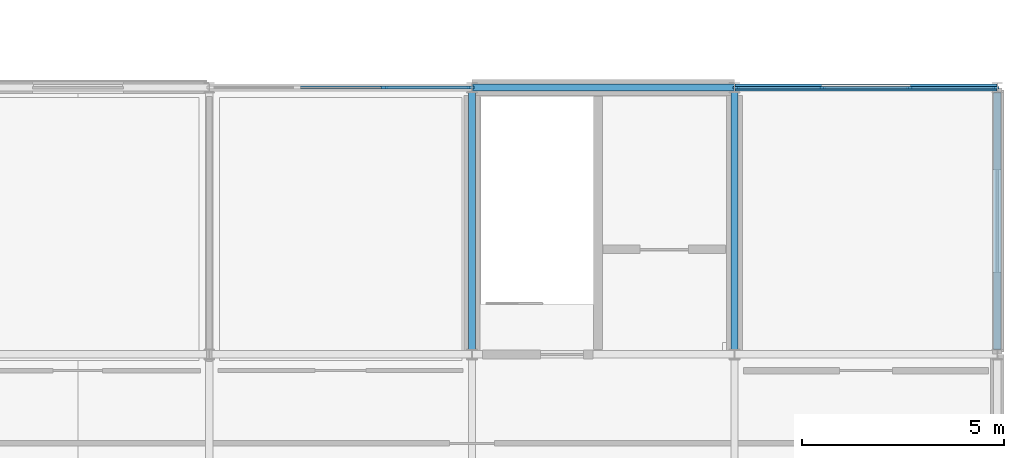
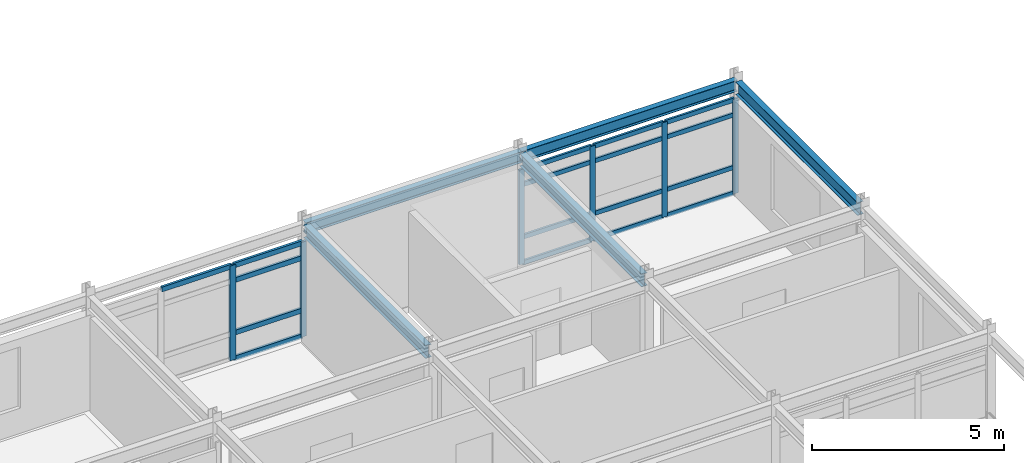
# One storey, part 10 of 20: 23 members, 5 beams, 2 elements without a shape of their own.
"""IFC4 building model written with IfcOpenShell, lengths in metres."""

from ifc_helpers import new_model, si_unit, direction, frame, origin, origin_2d, place, context, subcontext, project, spatial, rectangle, i_section, extrude, material, layer, layer_set, material_profile, profile_set, type_object, element, aggregate, save


model = new_model("IFC4")

# Units and contexts
model_context = context("Model", 3, precision=1e-05, world=origin(), true_north=direction((0.0, 1.0)))
body_context = subcontext(model_context, "Body", "Model", "MODEL_VIEW")
ifc_project = project(units=[si_unit("LENGTHUNIT", "METRE"), si_unit("AREAUNIT", "SQUARE_METRE"), si_unit("VOLUMEUNIT", "CUBIC_METRE"), si_unit("PLANEANGLEUNIT", "RADIAN"), si_unit("MASSUNIT", "GRAM", prefix="KILO")], contexts=[model_context])

# Site, building, storey
site_placement = place(None, origin())
site = spatial("IfcSite", under=ifc_project, at=site_placement, CompositionType="ELEMENT")
building_placement = place(site_placement, origin())
building = spatial("IfcBuilding", under=site, at=building_placement, Name="Trelmorton Wharf Fire Station", CompositionType="ELEMENT")
storey_placement = place(building_placement, frame((0.0, 0.0, 21.300048828125)))
storey = spatial("IfcBuildingStorey", under=building, at=storey_placement, Name="L05", CompositionType="ELEMENT", Elevation=21.300048828125)

# Beams
ifc_material_1 = material(Name="Steel Grade 350", Category="steel")
ifc_material_profile_1 = material_profile(ifc_material_1, i_section(OverallWidth=0.177978515625, OverallDepth=0.406005859375, WebThickness=0.0078125, FlangeThickness=0.0126953125, FilletRadius=0.011474609375, at=origin_2d()), Name="410UB59.7")
ifc_profile_set_1 = profile_set([ifc_material_profile_1], Name="Steel Grade 350")
beam_type_1 = type_object("IfcBeamType", Name="BM_410UB60", PredefinedType="BEAM", material=ifc_profile_set_1)
for number, where, z_axis, x_axis, name in (
    (1, (143.0, 21.123046875, 3.427001953125), (0.0, 1.0, 0.0), (-1.0, 0.0, 0.0), "BM-L05-1186"),
    (2, (149.5, 21.123046875, 3.427001953125), (0.0, 1.0, 0.0), (-1.0, 0.0, 0.0), "BM-L05-1189"),
    (3, (156.0, 21.123046875, 3.427001953125), (0.0, 1.0, 0.0), (-1.0, 0.0, 0.0), "BM-L05-1192"),
):
    element("IfcBeam", number, at=place(storey_placement, frame(where, z_axis=z_axis, x_axis=x_axis)), inside=storey, type_object=beam_type_1, Name=name, PredefinedType="BEAM", context=body_context, shape_type="SweptSolid", body=[
        extrude(i_section(OverallWidth=0.177978515625, OverallDepth=0.406005859375, WebThickness=0.0078125, FlangeThickness=0.0126953125, FilletRadius=0.011474609375, at=origin_2d()), origin(), (0.0, 0.0, 1.0), 6.35400390625),
    ])

# Curtain wall, members
ifc_material_2 = material(Name="Anodised aluminium AW-6063", Category="aluminium")
ifc_layer = layer(ifc_material_2, 0.14990234375)
ifc_layer_set = layer_set([ifc_layer], Name="Anodised aluminium AW-6063")
curtain_wall_type = type_object("IfcCurtainWallType", Name="CW_UNIT_A", PredefinedType="USERDEFINED", material=ifc_layer_set)
curtain_wall_1_placement = place(storey_placement, origin())
curtain_wall_1 = element("IfcCurtainWall", 4, at=curtain_wall_1_placement, inside=storey, type_object=curtain_wall_type, Name="CW-V5-L05-089", ObjectType="UNITISED CURTAIN WALL", PredefinedType="USERDEFINED")
ifc_material_profile_2 = material_profile(ifc_material_2, rectangle(XDim=0.06494140625, YDim=0.159912109375, at=origin_2d()), Name="ALU-65x160")
ifc_profile_set_2 = profile_set([ifc_material_profile_2], Name="Anodised aluminium AW-6063")
member_type_1 = type_object("IfcMemberType", Name="CWM_65x160", PredefinedType="MULLION", material=ifc_profile_set_2)
member_1_placement = place(storey_placement, frame((149.534912109375, 27.60009765625, 0.0), z_axis=(0.0, 0.0, 1.0), x_axis=(0.0, 1.0, 0.0)))
member_1 = element("IfcMember", 5, at=member_1_placement, type_object=member_type_1, Name="CW3 mullion 1", PredefinedType="MULLION", context=body_context, shape_type="SweptSolid", body=[
    extrude(rectangle(XDim=0.06494140625, YDim=0.159912109375, at=origin_2d()), origin(), (0.0, 0.0, 1.0), 3.02001953125),
])
member_2_placement = place(storey_placement, frame((151.668212890625, 27.60009765625, 0.0), z_axis=(0.0, 0.0, 1.0), x_axis=(0.0, 1.0, 0.0)))
member_2 = element("IfcMember", 6, at=member_2_placement, type_object=member_type_1, Name="CW3 mullion 2", PredefinedType="MULLION", context=body_context, shape_type="SweptSolid", body=[
    extrude(rectangle(XDim=0.06494140625, YDim=0.159912109375, at=origin_2d()), origin(), (0.0, 0.0, 1.0), 3.02001953125),
])
member_3_placement = place(storey_placement, frame((153.831787109375, 27.60009765625, 0.0), z_axis=(0.0, 0.0, 1.0), x_axis=(0.0, 1.0, 0.0)))
member_3 = element("IfcMember", 7, at=member_3_placement, type_object=member_type_1, Name="CW3 mullion 3", PredefinedType="MULLION", context=body_context, shape_type="SweptSolid", body=[
    extrude(rectangle(XDim=0.06494140625, YDim=0.159912109375, at=origin_2d()), origin(), (0.0, 0.0, 1.0), 3.02001953125),
])
member_4_placement = place(storey_placement, frame((155.965087890625, 27.60009765625, 0.0), z_axis=(0.0, 0.0, 1.0), x_axis=(0.0, 1.0, 0.0)))
member_4 = element("IfcMember", 8, at=member_4_placement, type_object=member_type_1, Name="CW3 mullion 4", PredefinedType="MULLION", context=body_context, shape_type="SweptSolid", body=[
    extrude(rectangle(XDim=0.06494140625, YDim=0.159912109375, at=origin_2d()), origin(), (0.0, 0.0, 1.0), 3.02001953125),
])

curtain_wall_2_placement = place(storey_placement, origin())
curtain_wall_2 = element("IfcCurtainWall", 9, at=curtain_wall_2_placement, inside=storey, type_object=curtain_wall_type, Name="CW-V5-L05-088", ObjectType="UNITISED CURTAIN WALL", PredefinedType="USERDEFINED")
ifc_material_profile_3 = material_profile(ifc_material_2, rectangle(XDim=0.074951171875, YDim=0.175048828125, at=origin_2d()), Name="ALU-75x175")
ifc_profile_set_3 = profile_set([ifc_material_profile_3], Name="Anodised aluminium AW-6063")
member_type_2 = type_object("IfcMemberType", Name="CWM_75x175", PredefinedType="MULLION", material=ifc_profile_set_3)
member_5_placement = place(storey_placement, frame((140.831787109375, 27.60009765625, 0.0), z_axis=(0.0, 0.0, 1.0), x_axis=(0.0, 1.0, 0.0)))
member_5 = element("IfcMember", 10, at=member_5_placement, type_object=member_type_2, Name="CW3 mullion 3", PredefinedType="MULLION", context=body_context, shape_type="SweptSolid", body=[
    extrude(rectangle(XDim=0.074951171875, YDim=0.175048828125, at=origin_2d()), origin(), (0.0, 0.0, 1.0), 3.02001953125),
])
member_6_placement = place(storey_placement, frame((142.965087890625, 27.60009765625, 0.0), z_axis=(0.0, 0.0, 1.0), x_axis=(0.0, 1.0, 0.0)))
member_6 = element("IfcMember", 11, at=member_6_placement, type_object=member_type_2, Name="CW3 mullion 4", PredefinedType="MULLION", context=body_context, shape_type="SweptSolid", body=[
    extrude(rectangle(XDim=0.074951171875, YDim=0.175048828125, at=origin_2d()), origin(), (0.0, 0.0, 1.0), 3.02001953125),
])

# Member
ifc_material_profile_4 = material_profile(ifc_material_2, rectangle(XDim=0.06494140625, YDim=0.139892578125, at=origin_2d()), Name="ALU-65x140")
ifc_profile_set_4 = profile_set([ifc_material_profile_4], Name="Anodised aluminium AW-6063")
member_type_3 = type_object("IfcMemberType", Name="CWT_65x140", PredefinedType="USERDEFINED", material=ifc_profile_set_4)
member_7_placement = place(storey_placement, frame((149.56494140625, 27.60009765625, 0.030029296875), z_axis=(1.0, 0.0, 0.0), x_axis=(0.0, 1.0, 0.0)))
member_7 = element("IfcMember", 12, at=member_7_placement, type_object=member_type_3, Name="CW3 transom 1.1", ObjectType="TRANSOM", PredefinedType="USERDEFINED", context=body_context, shape_type="SweptSolid", body=[
    extrude(rectangle(XDim=0.06494140625, YDim=0.139892578125, at=origin_2d()), origin(), (0.0, 0.0, 1.0), 2.073486328125),
])

member_8_placement = place(storey_placement, frame((149.56494140625, 27.60009765625, 0.849853515625), z_axis=(1.0, 0.0, 0.0), x_axis=(0.0, 1.0, 0.0)))
member_8 = element("IfcMember", 13, at=member_8_placement, type_object=member_type_3, Name="CW3 transom 1.2", ObjectType="TRANSOM", PredefinedType="USERDEFINED", context=body_context, shape_type="SweptSolid", body=[
    extrude(rectangle(XDim=0.06494140625, YDim=0.139892578125, at=origin_2d()), origin(), (0.0, 0.0, 1.0), 2.073486328125),
])

member_9_placement = place(storey_placement, frame((149.56494140625, 27.60009765625, 2.52001953125), z_axis=(1.0, 0.0, 0.0), x_axis=(0.0, 1.0, 0.0)))
member_9 = element("IfcMember", 14, at=member_9_placement, type_object=member_type_3, Name="CW3 transom 1.3", ObjectType="TRANSOM", PredefinedType="USERDEFINED", context=body_context, shape_type="SweptSolid", body=[
    extrude(rectangle(XDim=0.06494140625, YDim=0.139892578125, at=origin_2d()), origin(), (0.0, 0.0, 1.0), 2.073486328125),
])

member_10_placement = place(storey_placement, frame((149.56494140625, 27.60009765625, 2.989990234375), z_axis=(1.0, 0.0, 0.0), x_axis=(0.0, 1.0, 0.0)))
member_10 = element("IfcMember", 15, at=member_10_placement, type_object=member_type_3, Name="CW3 transom 1.4", ObjectType="TRANSOM", PredefinedType="USERDEFINED", context=body_context, shape_type="SweptSolid", body=[
    extrude(rectangle(XDim=0.06494140625, YDim=0.139892578125, at=origin_2d()), origin(), (0.0, 0.0, 1.0), 2.073486328125),
])

member_11_placement = place(storey_placement, frame((151.6982421875, 27.60009765625, 0.030029296875), z_axis=(1.0, 0.0, 0.0), x_axis=(0.0, 1.0, 0.0)))
member_11 = element("IfcMember", 16, at=member_11_placement, type_object=member_type_3, Name="CW3 transom 2.1", ObjectType="TRANSOM", PredefinedType="USERDEFINED", context=body_context, shape_type="SweptSolid", body=[
    extrude(rectangle(XDim=0.06494140625, YDim=0.139892578125, at=origin_2d()), origin(), (0.0, 0.0, 1.0), 2.103515625),
])

member_12_placement = place(storey_placement, frame((151.6982421875, 27.60009765625, 0.849853515625), z_axis=(1.0, 0.0, 0.0), x_axis=(0.0, 1.0, 0.0)))
member_12 = element("IfcMember", 17, at=member_12_placement, type_object=member_type_3, Name="CW3 transom 2.2", ObjectType="TRANSOM", PredefinedType="USERDEFINED", context=body_context, shape_type="SweptSolid", body=[
    extrude(rectangle(XDim=0.06494140625, YDim=0.139892578125, at=origin_2d()), origin(), (0.0, 0.0, 1.0), 2.103515625),
])

member_13_placement = place(storey_placement, frame((151.6982421875, 27.60009765625, 2.52001953125), z_axis=(1.0, 0.0, 0.0), x_axis=(0.0, 1.0, 0.0)))
member_13 = element("IfcMember", 18, at=member_13_placement, type_object=member_type_3, Name="CW3 transom 2.3", ObjectType="TRANSOM", PredefinedType="USERDEFINED", context=body_context, shape_type="SweptSolid", body=[
    extrude(rectangle(XDim=0.06494140625, YDim=0.139892578125, at=origin_2d()), origin(), (0.0, 0.0, 1.0), 2.103515625),
])

member_14_placement = place(storey_placement, frame((151.6982421875, 27.60009765625, 2.989990234375), z_axis=(1.0, 0.0, 0.0), x_axis=(0.0, 1.0, 0.0)))
member_14 = element("IfcMember", 19, at=member_14_placement, type_object=member_type_3, Name="CW3 transom 2.4", ObjectType="TRANSOM", PredefinedType="USERDEFINED", context=body_context, shape_type="SweptSolid", body=[
    extrude(rectangle(XDim=0.06494140625, YDim=0.139892578125, at=origin_2d()), origin(), (0.0, 0.0, 1.0), 2.103515625),
])

member_15_placement = place(storey_placement, frame((153.861572265625, 27.60009765625, 0.030029296875), z_axis=(1.0, 0.0, 0.0), x_axis=(0.0, 1.0, 0.0)))
member_15 = element("IfcMember", 20, at=member_15_placement, type_object=member_type_3, Name="CW3 transom 3.1", ObjectType="TRANSOM", PredefinedType="USERDEFINED", context=body_context, shape_type="SweptSolid", body=[
    extrude(rectangle(XDim=0.06494140625, YDim=0.139892578125, at=origin_2d()), origin(), (0.0, 0.0, 1.0), 2.073486328125),
])

member_16_placement = place(storey_placement, frame((153.861572265625, 27.60009765625, 0.849853515625), z_axis=(1.0, 0.0, 0.0), x_axis=(0.0, 1.0, 0.0)))
member_16 = element("IfcMember", 21, at=member_16_placement, type_object=member_type_3, Name="CW3 transom 3.2", ObjectType="TRANSOM", PredefinedType="USERDEFINED", context=body_context, shape_type="SweptSolid", body=[
    extrude(rectangle(XDim=0.06494140625, YDim=0.139892578125, at=origin_2d()), origin(), (0.0, 0.0, 1.0), 2.073486328125),
])

member_17_placement = place(storey_placement, frame((153.861572265625, 27.60009765625, 2.52001953125), z_axis=(1.0, 0.0, 0.0), x_axis=(0.0, 1.0, 0.0)))
member_17 = element("IfcMember", 22, at=member_17_placement, type_object=member_type_3, Name="CW3 transom 3.3", ObjectType="TRANSOM", PredefinedType="USERDEFINED", context=body_context, shape_type="SweptSolid", body=[
    extrude(rectangle(XDim=0.06494140625, YDim=0.139892578125, at=origin_2d()), origin(), (0.0, 0.0, 1.0), 2.073486328125),
])

member_18_placement = place(storey_placement, frame((153.861572265625, 27.60009765625, 2.989990234375), z_axis=(1.0, 0.0, 0.0), x_axis=(0.0, 1.0, 0.0)))
member_18 = element("IfcMember", 23, at=member_18_placement, type_object=member_type_3, Name="CW3 transom 3.4", ObjectType="TRANSOM", PredefinedType="USERDEFINED", context=body_context, shape_type="SweptSolid", body=[
    extrude(rectangle(XDim=0.06494140625, YDim=0.139892578125, at=origin_2d()), origin(), (0.0, 0.0, 1.0), 2.073486328125),
])

aggregate(curtain_wall_1, [member_1, member_2, member_3, member_4, member_7, member_8, member_9, member_10, member_11, member_12, member_13, member_14, member_15, member_16, member_17, member_18])

ifc_material_profile_5 = material_profile(ifc_material_2, rectangle(XDim=0.074951171875, YDim=0.155029296875, at=origin_2d()), Name="ALU-75x155")
ifc_profile_set_5 = profile_set([ifc_material_profile_5], Name="Anodised aluminium AW-6063")
member_type_4 = type_object("IfcMemberType", Name="CWT_75x155", PredefinedType="USERDEFINED", material=ifc_profile_set_5)
member_19_placement = place(storey_placement, frame((138.6982421875, 27.60009765625, 2.989990234375), z_axis=(1.0, 0.0, 0.0), x_axis=(0.0, 1.0, 0.0)))
member_19 = element("IfcMember", 24, at=member_19_placement, type_object=member_type_4, Name="CW3 transom 2.4", ObjectType="TRANSOM", PredefinedType="USERDEFINED", context=body_context, shape_type="SweptSolid", body=[
    extrude(rectangle(XDim=0.074951171875, YDim=0.155029296875, at=origin_2d()), origin(), (0.0, 0.0, 1.0), 2.103515625),
])

member_20_placement = place(storey_placement, frame((140.861572265625, 27.60009765625, 0.030029296875), z_axis=(1.0, 0.0, 0.0), x_axis=(0.0, 1.0, 0.0)))
member_20 = element("IfcMember", 25, at=member_20_placement, type_object=member_type_4, Name="CW3 transom 3.1", ObjectType="TRANSOM", PredefinedType="USERDEFINED", context=body_context, shape_type="SweptSolid", body=[
    extrude(rectangle(XDim=0.074951171875, YDim=0.155029296875, at=origin_2d()), origin(), (0.0, 0.0, 1.0), 2.073486328125),
])

member_21_placement = place(storey_placement, frame((140.861572265625, 27.60009765625, 0.849853515625), z_axis=(1.0, 0.0, 0.0), x_axis=(0.0, 1.0, 0.0)))
member_21 = element("IfcMember", 26, at=member_21_placement, type_object=member_type_4, Name="CW3 transom 3.2", ObjectType="TRANSOM", PredefinedType="USERDEFINED", context=body_context, shape_type="SweptSolid", body=[
    extrude(rectangle(XDim=0.074951171875, YDim=0.155029296875, at=origin_2d()), origin(), (0.0, 0.0, 1.0), 2.073486328125),
])

member_22_placement = place(storey_placement, frame((140.861572265625, 27.60009765625, 2.52001953125), z_axis=(1.0, 0.0, 0.0), x_axis=(0.0, 1.0, 0.0)))
member_22 = element("IfcMember", 27, at=member_22_placement, type_object=member_type_4, Name="CW3 transom 3.3", ObjectType="TRANSOM", PredefinedType="USERDEFINED", context=body_context, shape_type="SweptSolid", body=[
    extrude(rectangle(XDim=0.074951171875, YDim=0.155029296875, at=origin_2d()), origin(), (0.0, 0.0, 1.0), 2.073486328125),
])

member_23_placement = place(storey_placement, frame((140.861572265625, 27.60009765625, 2.989990234375), z_axis=(1.0, 0.0, 0.0), x_axis=(0.0, 1.0, 0.0)))
member_23 = element("IfcMember", 28, at=member_23_placement, type_object=member_type_4, Name="CW3 transom 3.4", ObjectType="TRANSOM", PredefinedType="USERDEFINED", context=body_context, shape_type="SweptSolid", body=[
    extrude(rectangle(XDim=0.074951171875, YDim=0.155029296875, at=origin_2d()), origin(), (0.0, 0.0, 1.0), 2.073486328125),
])

aggregate(curtain_wall_2, [member_5, member_6, member_19, member_20, member_21, member_22, member_23])

# Beams
ifc_material_profile_6 = material_profile(ifc_material_1, i_section(OverallWidth=0.1708984375, OverallDepth=0.35595703125, WebThickness=0.00732421875, FlangeThickness=0.011474609375, FilletRadius=0.011474609375, at=origin_2d()), Name="360UB50.7")
ifc_profile_set_6 = profile_set([ifc_material_profile_6], Name="Steel Grade 350")
beam_type_2 = type_object("IfcBeamType", Name="SP_360UB51", PredefinedType="SPANDREL", material=ifc_profile_set_6)
for number, where, z_axis, x_axis, name in (
    (29, (143.00390625, 27.60009765625, 3.451904296875), (1.0, 0.0, 0.0), (0.0, 1.0, 0.0), "BM-L05-1150"),
    (30, (149.50390625, 27.60009765625, 3.451904296875), (1.0, 0.0, 0.0), (0.0, 1.0, 0.0), "BM-L05-1151"),
):
    element("IfcBeam", number, at=place(storey_placement, frame(where, z_axis=z_axis, x_axis=x_axis)), inside=storey, type_object=beam_type_2, Name=name, PredefinedType="SPANDREL", context=body_context, shape_type="SweptSolid", body=[
        extrude(i_section(OverallWidth=0.1708984375, OverallDepth=0.35595703125, WebThickness=0.00732421875, FlangeThickness=0.011474609375, FilletRadius=0.011474609375, at=origin_2d()), origin(), (0.0, 0.0, 1.0), 6.4921875),
    ])

save(model, "model.ifc")
